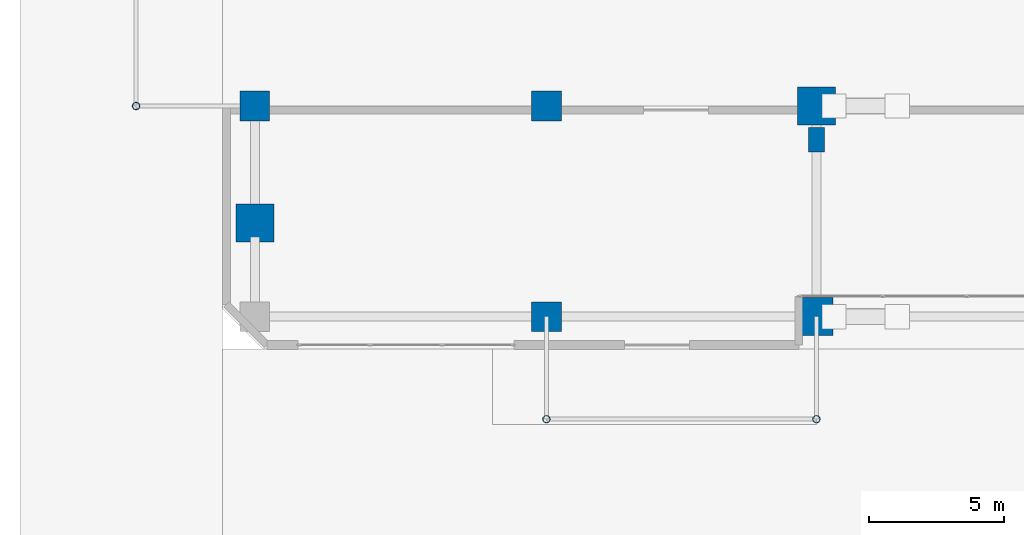
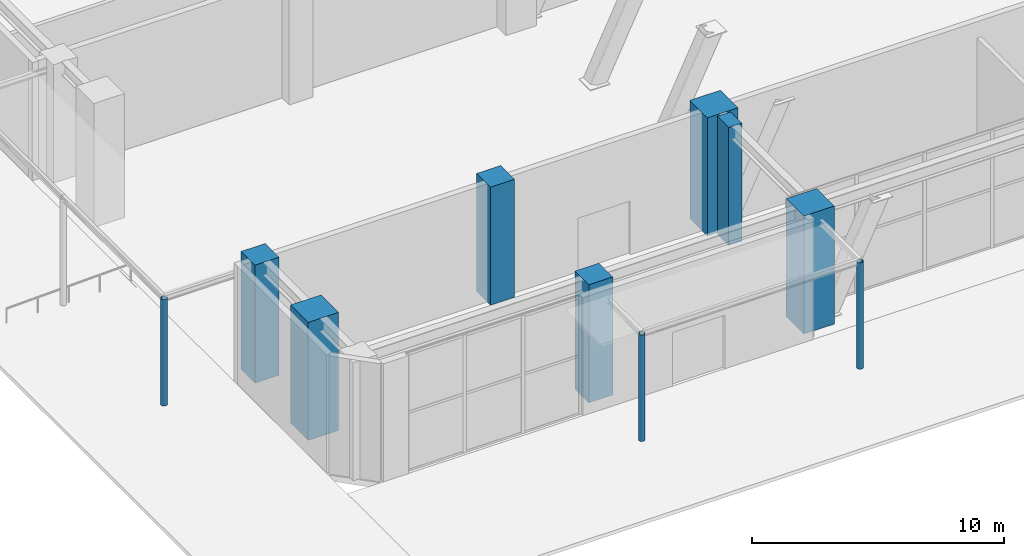
# One storey, part 2 of 49: 10 columns.
"""IFC4 building model written with IfcOpenShell, lengths in metres."""

from ifc_helpers import new_model, si_unit, direction, frame, origin, origin_2d, place, context, subcontext, project, spatial, rectangle, hollow_circle, extrude, material, material_profile, profile_set, type_object, element, save


model = new_model("IFC4")

# Units and contexts
model_context = context("Model", 3, precision=1e-05, world=origin(), true_north=direction((0.0, 1.0)))
body_context = subcontext(model_context, "Body", "Model", "MODEL_VIEW")
ifc_project = project(units=[si_unit("LENGTHUNIT", "METRE"), si_unit("AREAUNIT", "SQUARE_METRE"), si_unit("VOLUMEUNIT", "CUBIC_METRE"), si_unit("PLANEANGLEUNIT", "RADIAN"), si_unit("MASSUNIT", "GRAM", prefix="KILO")], contexts=[model_context])

# Site, building, storey
site_placement = place(None, origin())
site = spatial("IfcSite", under=ifc_project, at=site_placement, CompositionType="ELEMENT")
building_placement = place(site_placement, origin())
building = spatial("IfcBuilding", under=site, at=building_placement, Name="Sarneth Arch Tower", CompositionType="ELEMENT")
storey_placement = place(building_placement, origin())
storey = spatial("IfcBuildingStorey", under=building, at=storey_placement, Name="L00", CompositionType="ELEMENT", Elevation=0.0)

# Columns
ifc_material_1 = material(Name="Steel S355", Category="steel")
ifc_material_profile_1 = material_profile(ifc_material_1, hollow_circle(Radius=0.136474609375, WallThickness=0.010009765625, at=origin_2d()), Name="CHS273x10")
ifc_profile_set_1 = profile_set([ifc_material_profile_1], Name="Steel S355")
column_type_1 = type_object("IfcColumnType", Name="COL-CANOPY-273", PredefinedType="COLUMN", material=ifc_profile_set_1)
for number, where, z_axis, x_axis, name in (
    (1, (4.800048828125, 17.0, 0.0), (0.0, 0.0, 1.0), (1.0, 0.0, 0.0), "Entrance canopy column ARCH-W.1"),
    (2, (20.0, 5.39990234375, 0.0), (0.0, 0.0, 1.0), (1.0, 0.0, 0.0), "Entrance canopy column SOUTH-W.1"),
    (3, (30.0, 5.39990234375, 0.0), (0.0, 0.0, 1.0), (1.0, 0.0, 0.0), "Entrance canopy column SOUTH-W.2"),
):
    element("IfcColumn", number, at=place(storey_placement, frame(where, z_axis=z_axis, x_axis=x_axis)), inside=storey, type_object=column_type_1, Name=name, PredefinedType="COLUMN", context=body_context, shape_type="SweptSolid", body=[
        extrude(hollow_circle(Radius=0.136474609375, WallThickness=0.010009765625, at=origin_2d()), origin(), (0.0, 0.0, 1.0), 5.159912109375),
    ])
ifc_material_2 = material(Name="Concrete C60/75", Category="concrete")
ifc_material_profile_2 = material_profile(ifc_material_2, rectangle(XDim=1.10009765625, YDim=1.10009765625, at=origin_2d()), Name="RC-1100x1100")
ifc_profile_set_2 = profile_set([ifc_material_profile_2], Name="Concrete C60/75")
column_type_2 = type_object("IfcColumnType", Name="COL-RC-1100", PredefinedType="COLUMN", material=ifc_profile_set_2)
for number, where, z_axis, x_axis, name in (
    (4, (20.0, 9.199951171875, 0.0), (0.0, 0.0, 1.0), (1.0, 0.0, 0.0), "L00 Podium column PS02"),
    (5, (9.199951171875, 17.0, 0.0), (0.0, 0.0, 1.0), (1.0, 0.0, 0.0), "L00 Podium column PW01"),
    (6, (20.0, 17.0, 0.0), (0.0, 0.0, 1.0), (1.0, 0.0, 0.0), "L00 Podium column AS-W1"),
):
    element("IfcColumn", number, at=place(storey_placement, frame(where, z_axis=z_axis, x_axis=x_axis)), inside=storey, type_object=column_type_2, Name=name, PredefinedType="COLUMN", context=body_context, shape_type="SweptSolid", body=[
        extrude(rectangle(XDim=1.10009765625, YDim=1.10009765625, at=origin_2d()), origin(), (0.0, 0.0, 1.0), 5.719970703125),
    ])
ifc_material_3 = material(Name="Concrete C60/75", Category="concrete")
ifc_material_profile_3 = material_profile(ifc_material_3, rectangle(XDim=1.39990234375, YDim=1.39990234375, at=origin_2d()), Name="RC-1400x1400")
ifc_profile_set_3 = profile_set([ifc_material_profile_3], Name="Concrete C60/75")
column_type_3 = type_object("IfcColumnType", Name="COL-RC-1400", PredefinedType="COLUMN", material=ifc_profile_set_3)
for number, where, z_axis, x_axis, name in (
    (7, (30.0, 17.0, 0.0), (0.0, 0.0, 1.0), (1.0, 0.0, 0.0), "L00 Podium column AP-SW"),
    (8, (9.199951171875, 12.663330078125, 0.0), (0.0, 0.0, 1.0), (1.0, 0.0, 0.0), "L00 Podium column PX11"),
    (9, (29.91552734375, 9.199951171875, 0.0), (0.0, 0.0, 1.0), (1.0, 0.0, 0.0), "L00 Podium column PX12"),
):
    element("IfcColumn", number, at=place(storey_placement, frame(where, z_axis=z_axis, x_axis=x_axis)), inside=storey, type_object=column_type_3, Name=name, PredefinedType="COLUMN", context=body_context, shape_type="SweptSolid", body=[
        extrude(rectangle(XDim=1.39990234375, YDim=1.39990234375, at=origin_2d()), origin(), (0.0, 0.0, 1.0), 5.719970703125),
    ])
ifc_material_4 = material(Name="Concrete C60/75", Category="concrete")
ifc_material_profile_4 = material_profile(ifc_material_4, rectangle(XDim=0.60009765625, YDim=0.89990234375, at=origin_2d()), Name="RC-600x900")
ifc_profile_set_4 = profile_set([ifc_material_profile_4], Name="Concrete C60/75")
column_type_4 = type_object("IfcColumnType", Name="PIL-RC-600x900", PredefinedType="PILASTER", material=ifc_profile_set_4)
column_placement = place(storey_placement, frame((30.0, 15.75, 0.0), z_axis=(0.0, 0.0, 1.0), x_axis=(1.0, 0.0, 0.0)))
element("IfcColumn", 10, at=column_placement, inside=storey, type_object=column_type_4, Name="L00 Arch pilaster PIL-SW", PredefinedType="PILASTER", context=body_context, shape_type="SweptSolid", body=[
    extrude(rectangle(XDim=0.60009765625, YDim=0.89990234375, at=origin_2d()), origin(), (0.0, 0.0, 1.0), 5.719970703125),
])

save(model, "model.ifc")
